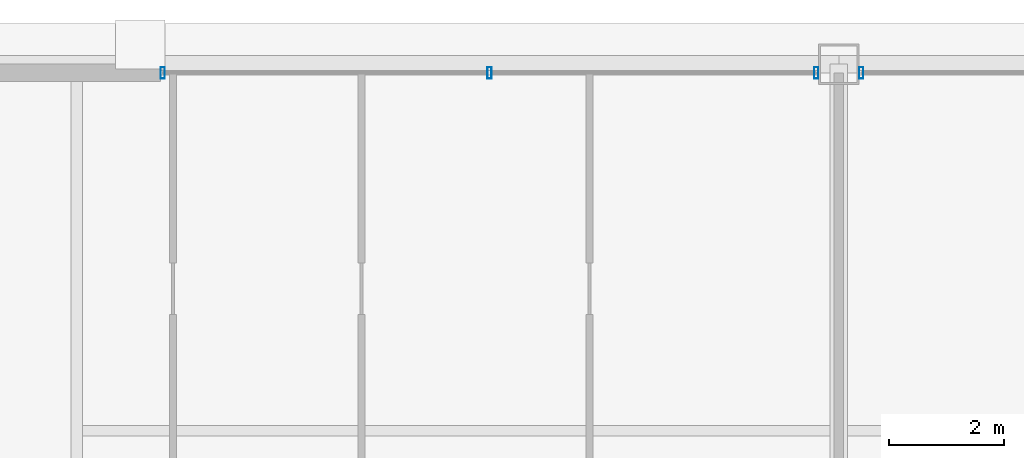
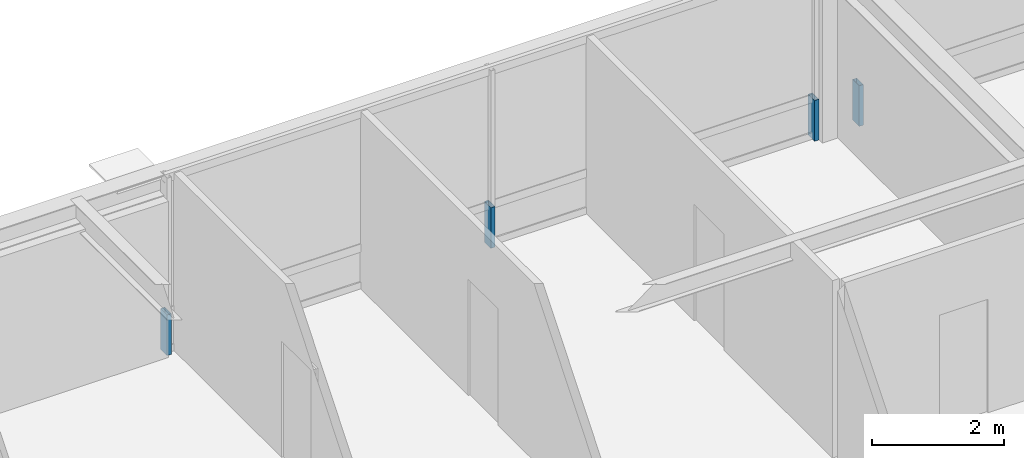
# One storey, part 27 of 35: 4 members, 2 elements without a shape of their own.
"""IFC4 building model written with IfcOpenShell, lengths in metres."""

from ifc_helpers import new_model, si_unit, direction, frame, origin, origin_2d, place, context, subcontext, project, spatial, hollow_rectangle, extrude, source, transform, mapped, material, layer, layer_set, material_profile, profile_set, type_object, element, aggregate, save


model = new_model("IFC4")

# Units and contexts
model_context = context("Model", 3, precision=1e-05, world=origin(), true_north=direction((0.0, 1.0)))
body_context = subcontext(model_context, "Body", "Model", "MODEL_VIEW")
ifc_project = project(units=[si_unit("LENGTHUNIT", "METRE"), si_unit("AREAUNIT", "SQUARE_METRE"), si_unit("VOLUMEUNIT", "CUBIC_METRE"), si_unit("PLANEANGLEUNIT", "RADIAN"), si_unit("MASSUNIT", "GRAM", prefix="KILO"), si_unit("THERMODYNAMICTEMPERATUREUNIT", "KELVIN"), si_unit("POWERUNIT", "WATT")], contexts=[model_context])

# Site, building, storey
site_placement = place(None, origin())
site = spatial("IfcSite", under=ifc_project, at=site_placement, CompositionType="ELEMENT")
building_placement = place(site_placement, origin())
building = spatial("IfcBuilding", under=site, at=building_placement, Name="Yuzanri Waterfront Tower", CompositionType="ELEMENT")
storey_placement = place(building_placement, frame((0.0, 0.0, 296.10009765625)))
storey = spatial("IfcBuildingStorey", under=building, at=storey_placement, Name="L79", CompositionType="ELEMENT", Elevation=296.10009765625)

# Curtain wall, members
ifc_material_1 = material(Name="Anodized Architectural Bronze", Category="metal")
ifc_layer = layer(ifc_material_1, 0.159912109375)
ifc_layer_set = layer_set([ifc_layer], Name="Anodized Architectural Bronze")
curtain_wall_type = type_object("IfcCurtainWallType", Name="Anodized Bronze High-Rise Penthouse High-Wind Unitized Curtain Wall 6900", PredefinedType="NOTDEFINED", material=ifc_layer_set)
curtain_wall_1_placement = place(storey_placement, origin())
curtain_wall_1 = element("IfcCurtainWall", 1, at=curtain_wall_1_placement, inside=storey, type_object=curtain_wall_type, Name="L79 Curtain Wall CW-L79-NL", PredefinedType="NOTDEFINED")
ifc_material_2 = material(Name="Anodized Architectural Bronze", Category="metal")
ifc_material_profile = material_profile(ifc_material_2, hollow_rectangle(XDim=0.074951171875, YDim=0.199951171875, WallThickness=0.00390625, at=origin_2d()), Name="CWM 75x200")
ifc_profile_set = profile_set([ifc_material_profile], Name="Anodized Architectural Bronze")
member_type = type_object("IfcMemberType", Name="Anodized Bronze Primary Curtain-Wall Mullion 75x200", PredefinedType="MULLION", material=ifc_profile_set)
shared_shape = source(origin(), body_context, "Body", "SweptSolid", [
    extrude(hollow_rectangle(XDim=0.074951171875, YDim=0.199951171875, WallThickness=0.00390625, at=origin_2d()), origin(), (0.0, 0.0, 1.0), 0.751953125),
])
member_1_placement = place(storey_placement, frame((25.2900390625, 44.75, 0.0), z_axis=(0.0, 0.0, 1.0), x_axis=(1.0, 0.0, 0.0)))
member_1 = element("IfcMember", 2, at=member_1_placement, type_object=member_type, Name="CW-L79-NL Lower Mullion 00", PredefinedType="MULLION", context=body_context, shape_type="MappedRepresentation", body=[
    mapped(shared_shape, transform((0.0, 0.0, 0.0), scale=1.0)),
])
member_2_placement = place(storey_placement, frame((30.949951171875, 44.75, 0.0), z_axis=(0.0, 0.0, 1.0), x_axis=(1.0, 0.0, 0.0)))
member_2 = element("IfcMember", 3, at=member_2_placement, type_object=member_type, Name="CW-L79-NL Lower Mullion 01", PredefinedType="MULLION", context=body_context, shape_type="MappedRepresentation", body=[
    mapped(shared_shape, transform((0.0, 0.0, 0.0), scale=1.0)),
])
member_3_placement = place(storey_placement, frame((36.610107421875, 44.75, 0.0), z_axis=(0.0, 0.0, 1.0), x_axis=(1.0, 0.0, 0.0)))
member_3 = element("IfcMember", 4, at=member_3_placement, type_object=member_type, Name="CW-L79-NL Lower Mullion 02", PredefinedType="MULLION", context=body_context, shape_type="MappedRepresentation", body=[
    mapped(shared_shape, transform((0.0, 0.0, 0.0), scale=1.0)),
])
aggregate(curtain_wall_1, [member_1, member_2, member_3])

# Curtain wall, member
curtain_wall_2_placement = place(storey_placement, origin())
curtain_wall_2 = element("IfcCurtainWall", 5, at=curtain_wall_2_placement, inside=storey, type_object=curtain_wall_type, Name="L79 Curtain Wall CW-L79-NR", PredefinedType="NOTDEFINED")
member_4_placement = place(storey_placement, frame((37.389892578125, 44.75, 0.0), z_axis=(0.0, 0.0, 1.0), x_axis=(1.0, 0.0, 0.0)))
member_4 = element("IfcMember", 6, at=member_4_placement, type_object=member_type, Name="CW-L79-NR Lower Mullion 00", PredefinedType="MULLION", context=body_context, shape_type="MappedRepresentation", body=[
    mapped(shared_shape, transform((0.0, 0.0, 0.0), scale=1.0)),
])
aggregate(curtain_wall_2, [member_4])

save(model, "model.ifc")
